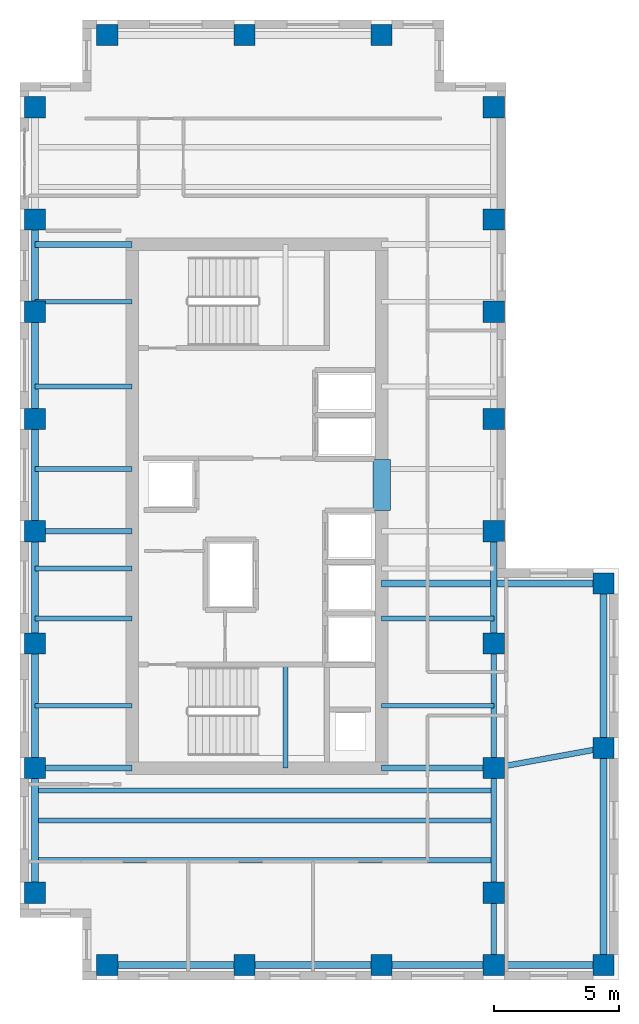
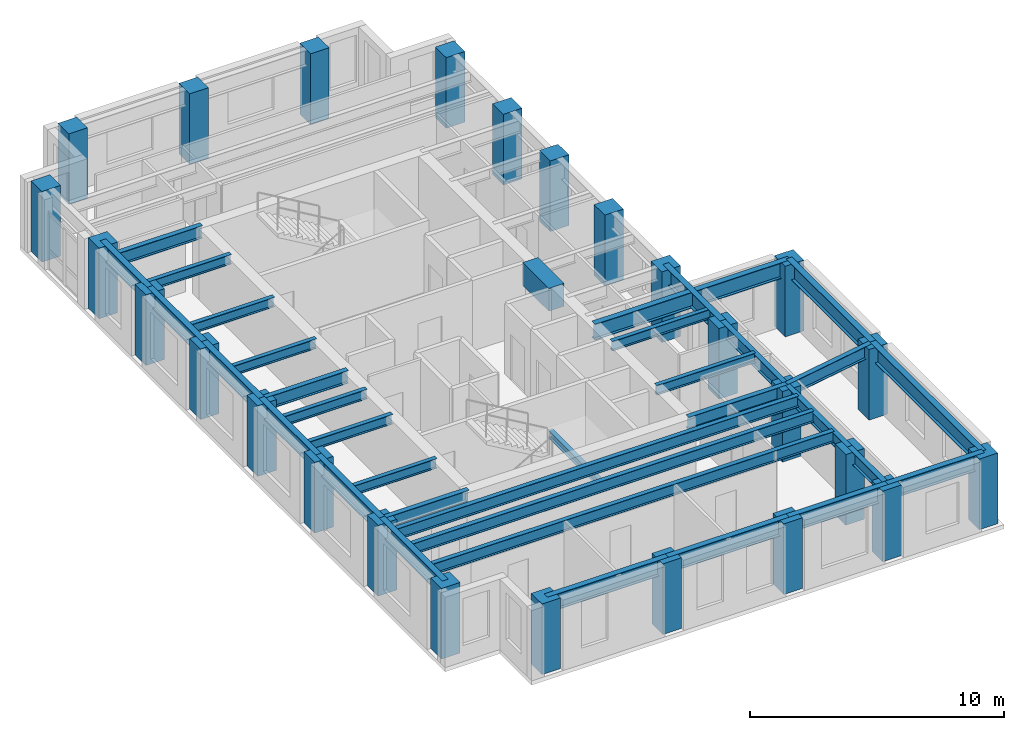
# One storey, part 1 of 10: 35 beams, 26 columns.
"""IFC4 building model written with IfcOpenShell, lengths in metres."""

import ifcopenshell
import ifcopenshell.guid

model = None  # the IFC model being written
_history = None  # IfcOwnerHistory: only IFC2X3 demands one
_inside = {}  # id of a spatial element -> (the spatial element, [elements in it])
_under = {}  # id of a project, library or spatial element -> (it, [spatial elements below it])
_declared = {}  # id of a project -> (the project, [libraries it declares])
_typed = {}  # id of a type object -> (the type object, [elements of that type])
_made_of = {}  # id of a material, layer set ... -> (it, [elements and type objects made of it])


def new_model(schema):
    """Start an empty IFC model of exactly this schema.

    Asked for "IFC4X3", IfcOpenShell would pick the latest addendum, in which some entities
    have other attributes; the version numbers below select the first issue.
    IFC2X3 requires an IfcOwnerHistory on every rooted entity: one is made here for all.
    """
    global model, _history
    if schema == "IFC4X3":
        model = ifcopenshell.file(schema_version=(4, 3, 0, 0))
    else:
        model = ifcopenshell.file(schema=schema)
    _inside.clear()
    _under.clear()
    _declared.clear()
    _typed.clear()
    _made_of.clear()
    _history = None
    if model.schema == "IFC2X3":
        org = make("IfcOrganization", Name="unknown")
        user = make(
            "IfcPersonAndOrganization",
            ThePerson=make("IfcPerson", FamilyName="unknown"),
            TheOrganization=org,
        )
        app = make(
            "IfcApplication",
            ApplicationDeveloper=org,
            Version="unknown",
            ApplicationFullName="unknown",
            ApplicationIdentifier="unknown",
        )
        _history = make(
            "IfcOwnerHistory",
            OwningUser=user,
            OwningApplication=app,
            ChangeAction="ADDED",
            CreationDate=0,
        )
    return model


def make(cls, **values):
    """One entity of the class cls with the attributes given. An attribute that is None is left unset."""
    return model.create_entity(
        cls, **{name: value for name, value in values.items() if value is not None}
    )


def rooted(cls, **values):
    """An entity with a GlobalId (a new one), such as an element, a storey or a relation."""
    return make(cls, GlobalId=ifcopenshell.guid.new(), OwnerHistory=_history, **values)


def si_unit(unit_type, name, prefix=None):
    """IfcSIUnit, for example si_unit("LENGTHUNIT", "METRE", prefix="MILLI")."""
    return make("IfcSIUnit", UnitType=unit_type, Prefix=prefix, Name=name)


def assignment(units):
    """IfcUnitAssignment: the units of a project."""
    return None if units is None else make("IfcUnitAssignment", Units=units)


def point(xyz):
    """IfcCartesianPoint."""
    return None if xyz is None else make("IfcCartesianPoint", Coordinates=xyz)


def direction(xyz):
    """IfcDirection."""
    return None if xyz is None else make("IfcDirection", DirectionRatios=xyz)


def frame(location, z_axis=None, x_axis=None):
    """IfcAxis2Placement3D, a coordinate frame: its origin and axes. An axis left out is left unset."""
    return make(
        "IfcAxis2Placement3D",
        Location=point(location),
        Axis=direction(z_axis),
        RefDirection=direction(x_axis),
    )


def frame_2d(location, x_axis=None):
    """IfcAxis2Placement2D, a coordinate frame in the plane: its origin and x axis."""
    return make(
        "IfcAxis2Placement2D", Location=point(location), RefDirection=direction(x_axis)
    )


def origin():
    """The frame at (0, 0, 0) with its axes left unset."""
    return frame((0.0, 0.0, 0.0))


def origin_2d():
    """The frame at (0, 0) in the plane with its x axis left unset."""
    return frame_2d((0.0, 0.0))


def place(relative_to, where):
    """IfcLocalPlacement: puts the frame where relative to a parent placement (None: the world)."""
    return make(
        "IfcLocalPlacement", PlacementRelTo=relative_to, RelativePlacement=where
    )


def context(
    kind, dimensions, precision=None, world=None, true_north=None, identifier=None
):
    """IfcGeometricRepresentationContext, for example the 3D "Model" context."""
    return make(
        "IfcGeometricRepresentationContext",
        ContextIdentifier=identifier,
        ContextType=kind,
        CoordinateSpaceDimension=dimensions,
        Precision=precision,
        WorldCoordinateSystem=world,
        TrueNorth=true_north,
    )


def subcontext(parent, identifier, kind, view, scale=None):
    """IfcGeometricRepresentationSubContext, for example "Body" below "Model"."""
    return make(
        "IfcGeometricRepresentationSubContext",
        ContextIdentifier=identifier,
        ContextType=kind,
        ParentContext=parent,
        TargetScale=scale,
        TargetView=view,
    )


def project(units=None, contexts=None):
    """IfcProject with its units and contexts."""
    return rooted(
        "IfcProject",
        Name="project",
        RepresentationContexts=contexts,
        UnitsInContext=assignment(units),
    )


def spatial(cls, under=None, at=None, **own):
    """A site, building, storey or space (cls), placed at a placement, below another one or the project."""
    s = rooted(cls, ObjectPlacement=at, **own)
    if under is not None:
        _under.setdefault(under.id(), (under, []))[1].append(s)
    return s


def profile(cls, at=None, kind="AREA", **sizes):
    """A parametric profile (cls). Its sizes go by their IFC names, for example OverallWidth=200.0."""
    return make(cls, ProfileType=kind, Position=at, **sizes)


def rectangle(**sizes):
    """IfcRectangleProfileDef."""
    return profile("IfcRectangleProfileDef", **sizes)


def i_section(**sizes):
    """IfcIShapeProfileDef."""
    return profile("IfcIShapeProfileDef", **sizes)


def extrude(swept, where, along, depth):
    """IfcExtrudedAreaSolid: the profile swept, set in the frame where, extruded along a direction by depth."""
    return make(
        "IfcExtrudedAreaSolid",
        SweptArea=swept,
        Position=where,
        ExtrudedDirection=direction(along),
        Depth=depth,
    )


def shape(context_of_items, identifier, shape_type, items):
    """IfcShapeRepresentation: the items that make up one representation, for example the "Body"."""
    return make(
        "IfcShapeRepresentation",
        ContextOfItems=context_of_items,
        RepresentationIdentifier=identifier,
        RepresentationType=shape_type,
        Items=items,
    )


def source(mapping_origin, context_of_items, identifier, shape_type, items):
    """IfcRepresentationMap: a shape defined once, which mapped items show again and again."""
    return make(
        "IfcRepresentationMap",
        MappingOrigin=mapping_origin,
        MappedRepresentation=shape(context_of_items, identifier, shape_type, items),
    )


def transform(
    local_origin,
    x_axis=None,
    y_axis=None,
    z_axis=None,
    scale=None,
    scale2=None,
    scale3=None,
    uniform=True,
):
    """IfcCartesianTransformationOperator3D, or its non-uniform kind. x_axis, y_axis, z_axis: its Axis1, 2, 3."""
    if uniform:
        return make(
            "IfcCartesianTransformationOperator3D",
            Axis1=direction(x_axis),
            Axis2=direction(y_axis),
            LocalOrigin=point(local_origin),
            Scale=scale,
            Axis3=direction(z_axis),
        )
    return make(
        "IfcCartesianTransformationOperator3DnonUniform",
        Axis1=direction(x_axis),
        Axis2=direction(y_axis),
        LocalOrigin=point(local_origin),
        Scale=scale,
        Axis3=direction(z_axis),
        Scale2=scale2,
        Scale3=scale3,
    )


def mapped(mapping_source, mapping_target):
    """IfcMappedItem: shows the shape of a source again, moved by a transform."""
    return make(
        "IfcMappedItem", MappingSource=mapping_source, MappingTarget=mapping_target
    )


def material(Name=None, Category=None):
    """IfcMaterial."""
    return make("IfcMaterial", Name=Name, Category=Category)


def material_profile(
    of_material, cross_section, Name=None, Category=None, Priority=None
):
    """IfcMaterialProfile: a cross section and its material."""
    return make(
        "IfcMaterialProfile",
        Name=Name,
        Material=of_material,
        Profile=cross_section,
        Priority=Priority,
        Category=Category,
    )


def profile_set(profiles, Name=None, composite=None):
    """IfcMaterialProfileSet."""
    return make(
        "IfcMaterialProfileSet",
        Name=Name,
        MaterialProfiles=profiles,
        CompositeProfile=composite,
    )


def made_of(thing, what):
    """Note that an element or type object is made of a material, layer set ...; save() writes the relation."""
    if what is not None:
        _made_of.setdefault(what.id(), (what, []))[1].append(thing)
    return thing


def type_object(cls, material=None, **own):
    """A type object (cls), such as IfcWallType, which elements share."""
    return made_of(rooted(cls, **own), material)


def element(
    cls,
    number,
    at=None,
    inside=None,
    cuts=None,
    type_object=None,
    material=None,
    context=None,
    identifier="Body",
    shape_type=None,
    held_by="IfcProductDefinitionShape",
    body=None,
    shapes=None,
    **own,
):
    """One element of the class cls, such as IfcWall. Its Tag is "e" and its number.

    at: its placement. inside: the storey or other place that contains it. cuts: it is an
    opening in that element (IfcRelVoidsElement). A single representation is given by context,
    identifier, shape_type and body (its items); several are given by shapes. held_by: the class
    of the entity that holds the representations. save() writes the other relations.
    """
    e = rooted(cls, Tag="e%d" % number, ObjectPlacement=at, **own)
    if body is not None:
        shapes = [shape(context, identifier, shape_type, body)]
    if shapes is not None:
        e.Representation = make(held_by, Representations=shapes)
    if inside is not None:
        _inside.setdefault(inside.id(), (inside, []))[1].append(e)
    if cuts is not None:
        rooted(
            "IfcRelVoidsElement", RelatingBuildingElement=cuts, RelatedOpeningElement=e
        )
    if type_object is not None:
        _typed.setdefault(type_object.id(), (type_object, []))[1].append(e)
    return made_of(e, material)


def aggregate(whole, parts):
    """IfcRelAggregates: a whole, such as a stair, and the parts it consists of."""
    return rooted("IfcRelAggregates", RelatingObject=whole, RelatedObjects=parts)


def save(model, path):
    """Write the relations noted so far, then the file.

    IfcRelAggregates (storeys below a building ...), IfcRelContainedInSpatialStructure (elements
    in a storey), IfcRelDefinesByType, IfcRelAssociatesMaterial and IfcRelDeclares: one each for
    every whole, place, type object, material and project.
    """
    for whole, parts in _under.values():
        aggregate(whole, parts)
    for where, things in _inside.values():
        rooted(
            "IfcRelContainedInSpatialStructure",
            RelatedElements=things,
            RelatingStructure=where,
        )
    for kind, things in _typed.values():
        rooted("IfcRelDefinesByType", RelatedObjects=things, RelatingType=kind)
    for what, things in _made_of.values():
        rooted("IfcRelAssociatesMaterial", RelatedObjects=things, RelatingMaterial=what)
    for by, libraries in _declared.values():
        rooted("IfcRelDeclares", RelatingContext=by, RelatedDefinitions=libraries)
    model.write(path)


model = new_model("IFC4")

# Units and contexts
model_context = context("Model", 3, precision=1e-05, world=origin(), true_north=direction((0.0, 1.0)))
body_context = subcontext(model_context, "Body", "Model", "MODEL_VIEW")
ifc_project = project(units=[si_unit("LENGTHUNIT", "METRE"), si_unit("AREAUNIT", "SQUARE_METRE"), si_unit("VOLUMEUNIT", "CUBIC_METRE"), si_unit("PLANEANGLEUNIT", "RADIAN"), si_unit("MASSUNIT", "GRAM", prefix="KILO")], contexts=[model_context])

# Site, building, storey
site_placement = place(None, origin())
site = spatial("IfcSite", under=ifc_project, at=site_placement, CompositionType="ELEMENT")
building_placement = place(site_placement, origin())
building = spatial("IfcBuilding", under=site, at=building_placement, Name="Kharzan Plaza Tower", CompositionType="ELEMENT")
storey_placement = place(building_placement, frame((0.0, 0.0, 270.0)))
storey = spatial("IfcBuildingStorey", under=building, at=storey_placement, Name="L73", CompositionType="ELEMENT", Elevation=270.0)

# Columns
ifc_material_1 = material(Name="Concrete C50/60", Category="concrete")
ifc_material_profile_1 = material_profile(ifc_material_1, rectangle(XDim=0.85009765625, YDim=0.85009765625, at=origin_2d()), Name="RC-TC850x850")
ifc_profile_set_1 = profile_set([ifc_material_profile_1], Name="Concrete C50/60")
column_type = type_object("IfcColumnType", Name="COL-TC850", PredefinedType="COLUMN", material=ifc_profile_set_1)
shared_shape_1 = source(origin(), body_context, "Body", "SweptSolid", [
    extrude(rectangle(XDim=0.85009765625, YDim=0.85009765625, at=origin_2d()), origin(), (0.0, 0.0, 1.0), 3.39990234375),
])
for number, where, z_axis, x_axis, name in (
    (1, (19.0, 13.5, 0.0), (0.0, 0.0, 1.0), (1.0, 0.0, 0.0), "L73 Structural Column TCA-135"),
    (2, (19.0, 18.0, 0.0), (0.0, 0.0, 1.0), (1.0, 0.0, 0.0), "L73 Structural Column TCA-180"),
    (3, (19.0, 22.5, 0.0), (0.0, 0.0, 1.0), (1.0, 0.0, 0.0), "L73 Structural Column TCA-225"),
    (4, (19.0, 26.800048828125, 0.0), (0.0, 0.0, 1.0), (1.0, 0.0, 0.0), "L73 Structural Column TCA-268"),
    (5, (19.0, 30.5, 0.0), (0.0, 0.0, 1.0), (1.0, 0.0, 0.0), "L73 Structural Column TCA-305"),
    (6, (19.0, 3.5, 0.0), (0.0, 0.0, 1.0), (1.0, 0.0, 0.0), "L73 Structural Column TCA-35"),
    (7, (19.0, 35.0, 0.0), (0.0, 0.0, 1.0), (1.0, 0.0, 0.0), "L73 Structural Column TCA-350"),
    (8, (19.0, 8.5, 0.0), (0.0, 0.0, 1.0), (1.0, 0.0, 0.0), "L73 Structural Column TCA-85"),
    (9, (14.5, 37.89990234375, 0.0), (0.0, 0.0, 1.0), (1.0, 0.0, 0.0), "L73 Structural Column TCN-145-379"),
    (10, (3.5, 37.89990234375, 0.0), (0.0, 0.0, 1.0), (1.0, 0.0, 0.0), "L73 Structural Column TCN-35-379"),
    (11, (9.0, 37.89990234375, 0.0), (0.0, 0.0, 1.0), (1.0, 0.0, 0.0), "L73 Structural Column TCN-90-379"),
    (12, (14.5, 0.60009765625, 0.0), (0.0, 0.0, 1.0), (1.0, 0.0, 0.0), "L73 Structural Column TCS-145"),
    (13, (19.0, 0.60009765625, 0.0), (0.0, 0.0, 1.0), (1.0, 0.0, 0.0), "L73 Structural Column TCS-190"),
    (14, (23.39990234375, 0.60009765625, 0.0), (0.0, 0.0, 1.0), (1.0, 0.0, 0.0), "L73 Structural Column TCS-234"),
    (15, (3.5, 0.60009765625, 0.0), (0.0, 0.0, 1.0), (1.0, 0.0, 0.0), "L73 Structural Column TCS-35"),
    (16, (9.0, 0.60009765625, 0.0), (0.0, 0.0, 1.0), (1.0, 0.0, 0.0), "L73 Structural Column TCS-90"),
    (17, (23.39990234375, 15.89990234375, 0.0), (0.0, 0.0, 1.0), (1.0, 0.0, 0.0), "L73 Structural Column TCSP-234-159"),
    (18, (23.39990234375, 9.300048828125, 0.0), (0.0, 0.0, 1.0), (1.0, 0.0, 0.0), "L73 Structural Column TCSP-234-93"),
    (19, (0.60009765625, 13.5, 0.0), (0.0, 0.0, 1.0), (1.0, 0.0, 0.0), "L73 Structural Column TCW-135"),
    (20, (0.60009765625, 18.0, 0.0), (0.0, 0.0, 1.0), (1.0, 0.0, 0.0), "L73 Structural Column TCW-180"),
    (21, (0.60009765625, 22.5, 0.0), (0.0, 0.0, 1.0), (1.0, 0.0, 0.0), "L73 Structural Column TCW-225"),
    (22, (0.60009765625, 26.800048828125, 0.0), (0.0, 0.0, 1.0), (1.0, 0.0, 0.0), "L73 Structural Column TCW-268"),
    (23, (0.60009765625, 30.5, 0.0), (0.0, 0.0, 1.0), (1.0, 0.0, 0.0), "L73 Structural Column TCW-305"),
    (24, (0.60009765625, 3.5, 0.0), (0.0, 0.0, 1.0), (1.0, 0.0, 0.0), "L73 Structural Column TCW-35"),
    (25, (0.60009765625, 35.0, 0.0), (0.0, 0.0, 1.0), (1.0, 0.0, 0.0), "L73 Structural Column TCW-350"),
    (26, (0.60009765625, 8.5, 0.0), (0.0, 0.0, 1.0), (1.0, 0.0, 0.0), "L73 Structural Column TCW-85"),
):
    element("IfcColumn", number, at=place(storey_placement, frame(where, z_axis=z_axis, x_axis=x_axis)), inside=storey, type_object=column_type, Name=name, PredefinedType="COLUMN", context=body_context, shape_type="MappedRepresentation", body=[
        mapped(shared_shape_1, transform((0.0, 0.0, 0.0), x_axis=(1.0, 0.0, 0.0), y_axis=(0.0, 1.0, 0.0), z_axis=(0.0, 0.0, 1.0))),
    ])

# Beams
ifc_material_2 = material(Name="Concrete C60/75", Category="concrete")
ifc_material_profile_2 = material_profile(ifc_material_2, rectangle(XDim=0.699951171875, YDim=1.10009765625, at=origin_2d()), Name="RC-CB1100x700")
ifc_profile_set_2 = profile_set([ifc_material_profile_2], Name="Concrete C60/75")
beam_type_1 = type_object("IfcBeamType", Name="BM-RCCB1100", PredefinedType="LINTEL", material=ifc_profile_set_2)
shared_shape_2 = source(origin(), body_context, "Body", "SweptSolid", [
    extrude(rectangle(XDim=0.699951171875, YDim=1.10009765625, at=origin_2d()), origin(), (0.0, 0.0, 1.0), 2.059814453125),
])
beam_1_placement = place(storey_placement, frame((14.5, 18.820068359375, 2.85009765625), z_axis=(0.0, 1.0, 0.0), x_axis=(-1.0, 0.0, 0.0)))
element("IfcBeam", 27, at=beam_1_placement, inside=storey, type_object=beam_type_1, Name="L73 CORE-A RC coupling beam CB1", PredefinedType="LINTEL", context=body_context, shape_type="MappedRepresentation", body=[
    mapped(shared_shape_2, transform((0.0, 0.0, 0.0), x_axis=(1.0, 0.0, 0.0), y_axis=(0.0, 1.0, 0.0), z_axis=(0.0, 0.0, 1.0))),
])
ifc_material_3 = material(Name="Steel S355", Category="steel")
ifc_material_profile_3 = material_profile(ifc_material_3, i_section(OverallWidth=0.205078125, OverallDepth=0.35400390625, WebThickness=0.009521484375, FlangeThickness=0.016845703125, at=origin_2d()), Name="W360x79")
ifc_profile_set_3 = profile_set([ifc_material_profile_3], Name="Steel S355")
beam_type_2 = type_object("IfcBeamType", Name="BM-LNT360", PredefinedType="LINTEL", material=ifc_profile_set_3)
shared_shape_3 = source(origin(), body_context, "Body", "SweptSolid", [
    extrude(i_section(OverallWidth=0.205078125, OverallDepth=0.35400390625, WebThickness=0.009521484375, FlangeThickness=0.016845703125, at=origin_2d()), origin(), (0.0, 0.0, 1.0), 4.155029296875),
])
beam_2_placement = place(storey_placement, frame((10.64990234375, 8.5, 1.423095703125), z_axis=(0.0, 1.0, 0.0), x_axis=(-1.0, 0.0, 0.0)))
element("IfcBeam", 28, at=beam_2_placement, inside=storey, type_object=beam_type_2, Name="L73 Stair ST-1 Half-Landing Beam", PredefinedType="LINTEL", context=body_context, shape_type="MappedRepresentation", body=[
    mapped(shared_shape_3, transform((0.0, 0.0, 0.0), x_axis=(1.0, 0.0, 0.0), y_axis=(0.0, 1.0, 0.0), z_axis=(0.0, 0.0, 1.0))),
])
ifc_material_profile_4 = material_profile(ifc_material_3, i_section(OverallWidth=0.2099609375, OverallDepth=0.537109375, WebThickness=0.010986328125, FlangeThickness=0.017333984375, at=origin_2d()), Name="W530x101")
ifc_profile_set_4 = profile_set([ifc_material_profile_4], Name="Steel S355")
beam_type_3 = type_object("IfcBeamType", Name="BM-JST530B", PredefinedType="JOIST", material=ifc_profile_set_4)
shared_shape_4 = source(origin(), body_context, "Body", "SweptSolid", [
    extrude(i_section(OverallWidth=0.2099609375, OverallDepth=0.537109375, WebThickness=0.010986328125, FlangeThickness=0.017333984375, at=origin_2d()), origin(), (0.0, 0.0, 1.0), 18.39990234375),
])
for number, where, z_axis, x_axis, name in (
    (29, (0.60009765625, 4.800048828125, 3.131591796875), (1.0, 0.0, 0.0), (0.0, 1.0, 0.0), "L73 Wing A Composite Joist 01"),
    (30, (0.60009765625, 6.39990234375, 3.131591796875), (1.0, 0.0, 0.0), (0.0, 1.0, 0.0), "L73 Wing A Composite Joist 02"),
    (31, (0.60009765625, 7.60009765625, 3.131591796875), (1.0, 0.0, 0.0), (0.0, 1.0, 0.0), "L73 Wing A Composite Joist 03"),
):
    element("IfcBeam", number, at=place(storey_placement, frame(where, z_axis=z_axis, x_axis=x_axis)), inside=storey, type_object=beam_type_3, Name=name, PredefinedType="JOIST", context=body_context, shape_type="MappedRepresentation", body=[
        mapped(shared_shape_4, transform((0.0, 0.0, 0.0), x_axis=(1.0, 0.0, 0.0), y_axis=(0.0, 1.0, 0.0), z_axis=(0.0, 0.0, 1.0))),
    ])
ifc_material_profile_5 = material_profile(ifc_material_3, i_section(OverallWidth=0.194091796875, OverallDepth=0.468994140625, WebThickness=0.011474609375, FlangeThickness=0.0205078125, at=origin_2d()), Name="W460x106")
ifc_profile_set_5 = profile_set([ifc_material_profile_5], Name="Steel S355")
beam_type_4 = type_object("IfcBeamType", Name="BM-JST460", PredefinedType="JOIST", material=ifc_profile_set_5)
shared_shape_5 = source(origin(), body_context, "Body", "SweptSolid", [
    extrude(i_section(OverallWidth=0.194091796875, OverallDepth=0.468994140625, WebThickness=0.011474609375, FlangeThickness=0.0205078125, at=origin_2d()), origin(), (0.0, 0.0, 1.0), 4.5),
])
for number, where, z_axis, x_axis, name in (
    (32, (14.5, 11.0, 3.16552734375), (1.0, 0.0, 0.0), (0.0, 1.0, 0.0), "L73 Wing A East Infill Joist 1"),
    (33, (14.5, 14.5, 3.16552734375), (1.0, 0.0, 0.0), (0.0, 1.0, 0.0), "L73 Wing A East Infill Joist 2"),
):
    element("IfcBeam", number, at=place(storey_placement, frame(where, z_axis=z_axis, x_axis=x_axis)), inside=storey, type_object=beam_type_4, Name=name, PredefinedType="JOIST", context=body_context, shape_type="MappedRepresentation", body=[
        mapped(shared_shape_5, transform((0.0, 0.0, 0.0), x_axis=(1.0, 0.0, 0.0), y_axis=(0.0, 1.0, 0.0), z_axis=(0.0, 0.0, 1.0))),
    ])
shared_shape_6 = source(origin(), body_context, "Body", "SweptSolid", [
    extrude(i_section(OverallWidth=0.194091796875, OverallDepth=0.468994140625, WebThickness=0.011474609375, FlangeThickness=0.0205078125, at=origin_2d()), origin(), (0.0, 0.0, 1.0), 3.89990234375),
])
for number, where, z_axis, x_axis, name in (
    (34, (0.60009765625, 11.0, 3.16552734375), (1.0, 0.0, 0.0), (0.0, 1.0, 0.0), "L73 Wing A West Infill Joist 1"),
    (35, (0.60009765625, 14.5, 3.16552734375), (1.0, 0.0, 0.0), (0.0, 1.0, 0.0), "L73 Wing A West Infill Joist 2"),
    (36, (0.60009765625, 16.5, 3.16552734375), (1.0, 0.0, 0.0), (0.0, 1.0, 0.0), "L73 Wing A West Infill Joist 3"),
    (37, (0.60009765625, 20.5, 3.16552734375), (1.0, 0.0, 0.0), (0.0, 1.0, 0.0), "L73 Wing A West Infill Joist 4"),
    (38, (0.60009765625, 23.800048828125, 3.16552734375), (1.0, 0.0, 0.0), (0.0, 1.0, 0.0), "L73 Wing A West Infill Joist 5"),
    (39, (0.60009765625, 27.199951171875, 3.16552734375), (1.0, 0.0, 0.0), (0.0, 1.0, 0.0), "L73 Wing A West Infill Joist 6"),
):
    element("IfcBeam", number, at=place(storey_placement, frame(where, z_axis=z_axis, x_axis=x_axis)), inside=storey, type_object=beam_type_4, Name=name, PredefinedType="JOIST", context=body_context, shape_type="MappedRepresentation", body=[
        mapped(shared_shape_6, transform((0.0, 0.0, 0.0), x_axis=(1.0, 0.0, 0.0), y_axis=(0.0, 1.0, 0.0), z_axis=(0.0, 0.0, 1.0))),
    ])
ifc_material_profile_6 = material_profile(ifc_material_3, i_section(OverallWidth=0.22900390625, OverallDepth=0.612060546875, WebThickness=0.011962890625, FlangeThickness=0.01953125, at=origin_2d()), Name="W610x125")
ifc_profile_set_6 = profile_set([ifc_material_profile_6], Name="Steel S355")
beam_type_5 = type_object("IfcBeamType", Name="BM-FG610B", PredefinedType="BEAM", material=ifc_profile_set_6)
shared_shape_7 = source(origin(), body_context, "Body", "SweptSolid", [
    extrude(i_section(OverallWidth=0.22900390625, OverallDepth=0.612060546875, WebThickness=0.011962890625, FlangeThickness=0.01953125, at=origin_2d()), origin(), (0.0, 0.0, 1.0), 4.5),
])
beam_3_placement = place(storey_placement, frame((14.5, 8.5, 3.093994140625), z_axis=(1.0, 0.0, 0.0), x_axis=(0.0, 1.0, 0.0)))
element("IfcBeam", 40, at=beam_3_placement, inside=storey, type_object=beam_type_5, Name="L73 Core-A East Floor Girder 1", PredefinedType="BEAM", context=body_context, shape_type="MappedRepresentation", body=[
    mapped(shared_shape_7, transform((0.0, 0.0, 0.0), x_axis=(1.0, 0.0, 0.0), y_axis=(0.0, 1.0, 0.0), z_axis=(0.0, 0.0, 1.0))),
])
shared_shape_8 = source(origin(), body_context, "Body", "SweptSolid", [
    extrude(i_section(OverallWidth=0.22900390625, OverallDepth=0.612060546875, WebThickness=0.011962890625, FlangeThickness=0.01953125, at=origin_2d()), origin(), (0.0, 0.0, 1.0), 3.89990234375),
])
for number, where, z_axis, x_axis, name in (
    (41, (0.60009765625, 8.5, 3.093994140625), (1.0, 0.0, 0.0), (0.0, 1.0, 0.0), "L73 Core-A West Floor Girder 1"),
    (42, (0.60009765625, 18.0, 3.093994140625), (1.0, 0.0, 0.0), (0.0, 1.0, 0.0), "L73 Core-A West Floor Girder 2"),
    (43, (0.60009765625, 29.5, 3.093994140625), (1.0, 0.0, 0.0), (0.0, 1.0, 0.0), "L73 Core-A West Floor Girder 3"),
):
    element("IfcBeam", number, at=place(storey_placement, frame(where, z_axis=z_axis, x_axis=x_axis)), inside=storey, type_object=beam_type_5, Name=name, PredefinedType="BEAM", context=body_context, shape_type="MappedRepresentation", body=[
        mapped(shared_shape_8, transform((0.0, 0.0, 0.0), x_axis=(1.0, 0.0, 0.0), y_axis=(0.0, 1.0, 0.0), z_axis=(0.0, 0.0, 1.0))),
    ])
shared_shape_9 = source(origin(), body_context, "Body", "SweptSolid", [
    extrude(i_section(OverallWidth=0.22900390625, OverallDepth=0.612060546875, WebThickness=0.011962890625, FlangeThickness=0.01953125, at=origin_2d()), origin(), (0.0, 0.0, 1.0), 5.0),
])
for number, where, z_axis, x_axis, name in (
    (44, (19.0, 3.5, 3.093994140625), (0.0, 1.0, 0.0), (-1.0, 0.0, 0.0), "L73 Interior Frame Girder"),
    (45, (19.0, 8.5, 3.093994140625), (0.0, 1.0, 0.0), (-1.0, 0.0, 0.0), "L73 Interior Frame Girder"),
):
    element("IfcBeam", number, at=place(storey_placement, frame(where, z_axis=z_axis, x_axis=x_axis)), inside=storey, type_object=beam_type_5, Name=name, PredefinedType="BEAM", context=body_context, shape_type="MappedRepresentation", body=[
        mapped(shared_shape_9, transform((0.0, 0.0, 0.0), x_axis=(1.0, 0.0, 0.0), y_axis=(0.0, 1.0, 0.0), z_axis=(0.0, 0.0, 1.0))),
    ])
shared_shape_10 = source(origin(), body_context, "Body", "SweptSolid", [
    extrude(i_section(OverallWidth=0.22900390625, OverallDepth=0.612060546875, WebThickness=0.011962890625, FlangeThickness=0.01953125, at=origin_2d()), origin(), (0.0, 0.0, 1.0), 2.89990234375),
])
beam_4_placement = place(storey_placement, frame((19.0, 0.60009765625, 3.093994140625), z_axis=(0.0, 1.0, 0.0), x_axis=(-1.0, 0.0, 0.0)))
element("IfcBeam", 46, at=beam_4_placement, inside=storey, type_object=beam_type_5, Name="L73 Interior Frame Girder", PredefinedType="BEAM", context=body_context, shape_type="MappedRepresentation", body=[
    mapped(shared_shape_10, transform((0.0, 0.0, 0.0), x_axis=(1.0, 0.0, 0.0), y_axis=(0.0, 1.0, 0.0), z_axis=(0.0, 0.0, 1.0))),
])
ifc_material_profile_7 = material_profile(ifc_material_3, i_section(OverallWidth=0.26708984375, OverallDepth=0.76611328125, WebThickness=0.014892578125, FlangeThickness=0.023681640625, at=origin_2d()), Name="W760x185")
ifc_profile_set_7 = profile_set([ifc_material_profile_7], Name="Steel S355")
beam_type_6 = type_object("IfcBeamType", Name="BM-SP760B", PredefinedType="SPANDREL", material=ifc_profile_set_7)
shared_shape_11 = source(origin(), body_context, "Body", "SweptSolid", [
    extrude(i_section(OverallWidth=0.26708984375, OverallDepth=0.76611328125, WebThickness=0.014892578125, FlangeThickness=0.023681640625, at=origin_2d()), origin(), (0.0, 0.0, 1.0), 5.0),
])
for number, where, z_axis, x_axis, name in (
    (47, (0.60009765625, 3.5, 3.01708984375), (0.0, 1.0, 0.0), (-1.0, 0.0, 0.0), "L73 Perimeter Tube Spandrel"),
    (48, (0.60009765625, 8.5, 3.01708984375), (0.0, 1.0, 0.0), (-1.0, 0.0, 0.0), "L73 Perimeter Tube Spandrel"),
):
    element("IfcBeam", number, at=place(storey_placement, frame(where, z_axis=z_axis, x_axis=x_axis)), inside=storey, type_object=beam_type_6, Name=name, PredefinedType="SPANDREL", context=body_context, shape_type="MappedRepresentation", body=[
        mapped(shared_shape_11, transform((0.0, 0.0, 0.0), x_axis=(1.0, 0.0, 0.0), y_axis=(0.0, 1.0, 0.0), z_axis=(0.0, 0.0, 1.0))),
    ])
shared_shape_12 = source(origin(), body_context, "Body", "SweptSolid", [
    extrude(i_section(OverallWidth=0.26708984375, OverallDepth=0.76611328125, WebThickness=0.014892578125, FlangeThickness=0.023681640625, at=origin_2d()), origin(), (0.0, 0.0, 1.0), 4.5),
])
for number, where, z_axis, x_axis, name in (
    (49, (0.60009765625, 13.5, 3.01708984375), (0.0, 1.0, 0.0), (-1.0, 0.0, 0.0), "L73 Perimeter Tube Spandrel"),
    (50, (0.60009765625, 18.0, 3.01708984375), (0.0, 1.0, 0.0), (-1.0, 0.0, 0.0), "L73 Perimeter Tube Spandrel"),
    (51, (19.0, 13.5, 3.01708984375), (0.0, 1.0, 0.0), (-1.0, 0.0, 0.0), "L73 Perimeter Tube Spandrel"),
    (52, (14.5, 0.60009765625, 3.01708984375), (1.0, 0.0, 0.0), (0.0, 1.0, 0.0), "L73 Perimeter Tube Spandrel"),
):
    element("IfcBeam", number, at=place(storey_placement, frame(where, z_axis=z_axis, x_axis=x_axis)), inside=storey, type_object=beam_type_6, Name=name, PredefinedType="SPANDREL", context=body_context, shape_type="MappedRepresentation", body=[
        mapped(shared_shape_12, transform((0.0, 0.0, 0.0), x_axis=(1.0, 0.0, 0.0), y_axis=(0.0, 1.0, 0.0), z_axis=(0.0, 0.0, 1.0))),
    ])
shared_shape_13 = source(origin(), body_context, "Body", "SweptSolid", [
    extrude(i_section(OverallWidth=0.26708984375, OverallDepth=0.76611328125, WebThickness=0.014892578125, FlangeThickness=0.023681640625, at=origin_2d()), origin(), (0.0, 0.0, 1.0), 4.300048828125),
])
beam_5_placement = place(storey_placement, frame((0.60009765625, 22.5, 3.01708984375), z_axis=(0.0, 1.0, 0.0), x_axis=(-1.0, 0.0, 0.0)))
element("IfcBeam", 53, at=beam_5_placement, inside=storey, type_object=beam_type_6, Name="L73 Perimeter Tube Spandrel", PredefinedType="SPANDREL", context=body_context, shape_type="MappedRepresentation", body=[
    mapped(shared_shape_13, transform((0.0, 0.0, 0.0), x_axis=(1.0, 0.0, 0.0), y_axis=(0.0, 1.0, 0.0), z_axis=(0.0, 0.0, 1.0))),
])
shared_shape_14 = source(origin(), body_context, "Body", "SweptSolid", [
    extrude(i_section(OverallWidth=0.26708984375, OverallDepth=0.76611328125, WebThickness=0.014892578125, FlangeThickness=0.023681640625, at=origin_2d()), origin(), (0.0, 0.0, 1.0), 3.699951171875),
])
beam_6_placement = place(storey_placement, frame((0.60009765625, 26.800048828125, 3.01708984375), z_axis=(0.0, 1.0, 0.0), x_axis=(-1.0, 0.0, 0.0)))
element("IfcBeam", 54, at=beam_6_placement, inside=storey, type_object=beam_type_6, Name="L73 Perimeter Tube Spandrel", PredefinedType="SPANDREL", context=body_context, shape_type="MappedRepresentation", body=[
    mapped(shared_shape_14, transform((0.0, 0.0, 0.0), x_axis=(1.0, 0.0, 0.0), y_axis=(0.0, 1.0, 0.0), z_axis=(0.0, 0.0, 1.0))),
])
shared_shape_15 = source(origin(), body_context, "Body", "SweptSolid", [
    extrude(i_section(OverallWidth=0.26708984375, OverallDepth=0.76611328125, WebThickness=0.014892578125, FlangeThickness=0.023681640625, at=origin_2d()), origin(), (0.0, 0.0, 1.0), 5.5),
])
for number, where, z_axis, x_axis, name in (
    (55, (3.5, 0.60009765625, 3.01708984375), (1.0, 0.0, 0.0), (0.0, 1.0, 0.0), "L73 Perimeter Tube Spandrel"),
    (56, (9.0, 0.60009765625, 3.01708984375), (1.0, 0.0, 0.0), (0.0, 1.0, 0.0), "L73 Perimeter Tube Spandrel"),
):
    element("IfcBeam", number, at=place(storey_placement, frame(where, z_axis=z_axis, x_axis=x_axis)), inside=storey, type_object=beam_type_6, Name=name, PredefinedType="SPANDREL", context=body_context, shape_type="MappedRepresentation", body=[
        mapped(shared_shape_15, transform((0.0, 0.0, 0.0), x_axis=(1.0, 0.0, 0.0), y_axis=(0.0, 1.0, 0.0), z_axis=(0.0, 0.0, 1.0))),
    ])
shared_shape_16 = source(origin(), body_context, "Body", "SweptSolid", [
    extrude(i_section(OverallWidth=0.26708984375, OverallDepth=0.76611328125, WebThickness=0.014892578125, FlangeThickness=0.023681640625, at=origin_2d()), origin(), (0.0, 0.0, 1.0), 4.39990234375),
])
beam_7_placement = place(storey_placement, frame((19.0, 0.60009765625, 3.01708984375), z_axis=(1.0, 0.0, 0.0), x_axis=(0.0, 1.0, 0.0)))
element("IfcBeam", 57, at=beam_7_placement, inside=storey, type_object=beam_type_6, Name="L73 Perimeter Tube Spandrel", PredefinedType="SPANDREL", context=body_context, shape_type="MappedRepresentation", body=[
    mapped(shared_shape_16, transform((0.0, 0.0, 0.0), x_axis=(1.0, 0.0, 0.0), y_axis=(0.0, 1.0, 0.0), z_axis=(0.0, 0.0, 1.0))),
])
shared_shape_17 = source(origin(), body_context, "Body", "SweptSolid", [
    extrude(i_section(OverallWidth=0.22900390625, OverallDepth=0.612060546875, WebThickness=0.011962890625, FlangeThickness=0.01953125, at=origin_2d()), origin(), (0.0, 0.0, 1.0), 4.47216796875),
])
beam_8_placement = place(storey_placement, frame((19.0, 8.5, 3.093994140625), z_axis=(0.983867289551, 0.178899850619, 0.0), x_axis=(-0.178899850619, 0.983867289551, 0.0)))
element("IfcBeam", 58, at=beam_8_placement, inside=storey, type_object=beam_type_5, Name="L73 Shoulder Mid Girder", PredefinedType="BEAM", context=body_context, shape_type="MappedRepresentation", body=[
    mapped(shared_shape_17, transform((0.0, 0.0, 0.0), x_axis=(1.0, 0.0, 0.0), y_axis=(0.0, 1.0, 0.0), z_axis=(0.0, 0.0, 1.0))),
])
shared_shape_18 = source(origin(), body_context, "Body", "SweptSolid", [
    extrude(i_section(OverallWidth=0.26708984375, OverallDepth=0.76611328125, WebThickness=0.014892578125, FlangeThickness=0.023681640625, at=origin_2d()), origin(), (0.0, 0.0, 1.0), 8.89990234375),
])
beam_9_placement = place(storey_placement, frame((14.5, 15.89990234375, 3.01708984375), z_axis=(1.0, 0.0, 0.0), x_axis=(0.0, 1.0, 0.0)))
element("IfcBeam", 59, at=beam_9_placement, inside=storey, type_object=beam_type_6, Name="L73 Shoulder North Edge Girder", PredefinedType="SPANDREL", context=body_context, shape_type="MappedRepresentation", body=[
    mapped(shared_shape_18, transform((0.0, 0.0, 0.0), x_axis=(1.0, 0.0, 0.0), y_axis=(0.0, 1.0, 0.0), z_axis=(0.0, 0.0, 1.0))),
])
shared_shape_19 = source(origin(), body_context, "Body", "SweptSolid", [
    extrude(i_section(OverallWidth=0.26708984375, OverallDepth=0.76611328125, WebThickness=0.014892578125, FlangeThickness=0.023681640625, at=origin_2d()), origin(), (0.0, 0.0, 1.0), 8.699951171875),
])
beam_10_placement = place(storey_placement, frame((23.39990234375, 0.60009765625, 3.01708984375), z_axis=(0.0, 1.0, 0.0), x_axis=(-1.0, 0.0, 0.0)))
element("IfcBeam", 60, at=beam_10_placement, inside=storey, type_object=beam_type_6, Name="L73 Perimeter Tube Spandrel", PredefinedType="SPANDREL", context=body_context, shape_type="MappedRepresentation", body=[
    mapped(shared_shape_19, transform((0.0, 0.0, 0.0), x_axis=(1.0, 0.0, 0.0), y_axis=(0.0, 1.0, 0.0), z_axis=(0.0, 0.0, 1.0))),
])
shared_shape_20 = source(origin(), body_context, "Body", "SweptSolid", [
    extrude(i_section(OverallWidth=0.26708984375, OverallDepth=0.76611328125, WebThickness=0.014892578125, FlangeThickness=0.023681640625, at=origin_2d()), origin(), (0.0, 0.0, 1.0), 6.599853515625),
])
beam_11_placement = place(storey_placement, frame((23.39990234375, 9.300048828125, 3.01708984375), z_axis=(0.0, 1.0, 0.0), x_axis=(-1.0, 0.0, 0.0)))
element("IfcBeam", 61, at=beam_11_placement, inside=storey, type_object=beam_type_6, Name="L73 Perimeter Tube Spandrel", PredefinedType="SPANDREL", context=body_context, shape_type="MappedRepresentation", body=[
    mapped(shared_shape_20, transform((0.0, 0.0, 0.0), x_axis=(1.0, 0.0, 0.0), y_axis=(0.0, 1.0, 0.0), z_axis=(0.0, 0.0, 1.0))),
])

save(model, "model.ifc")
